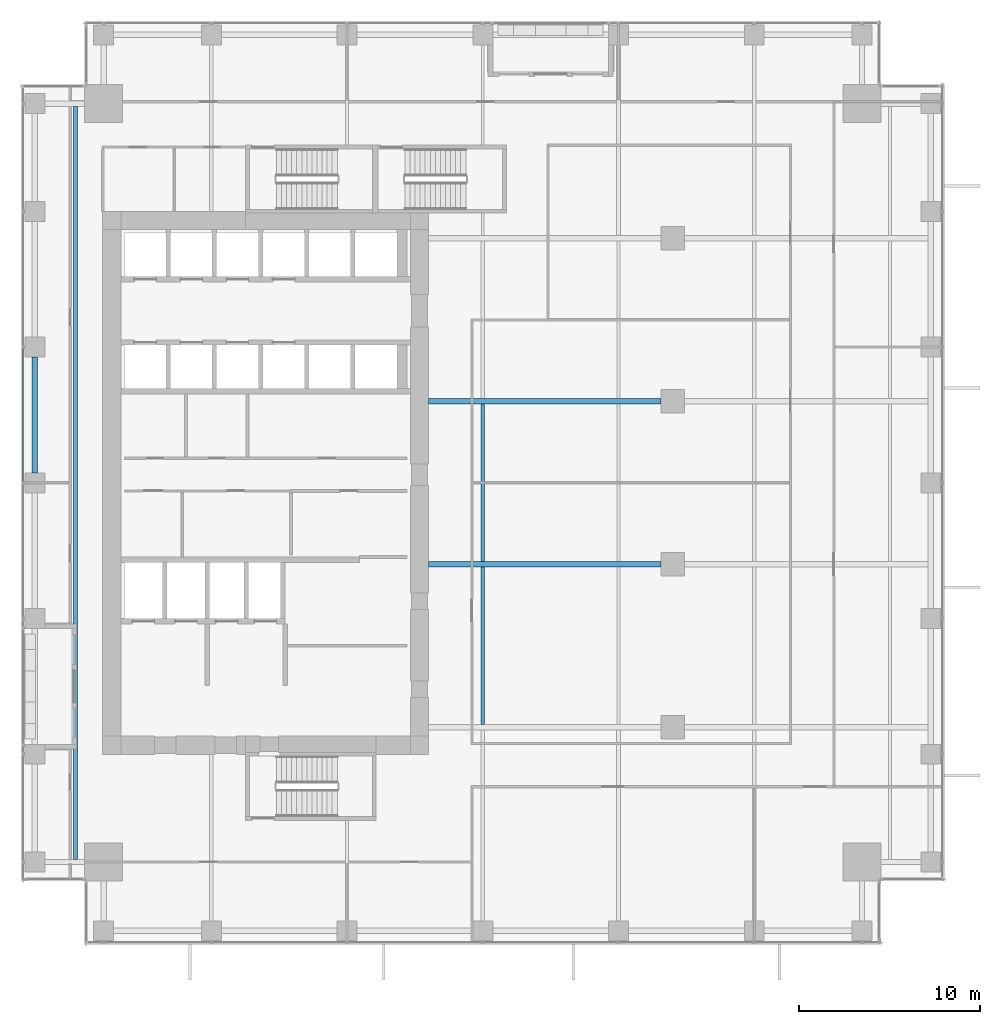
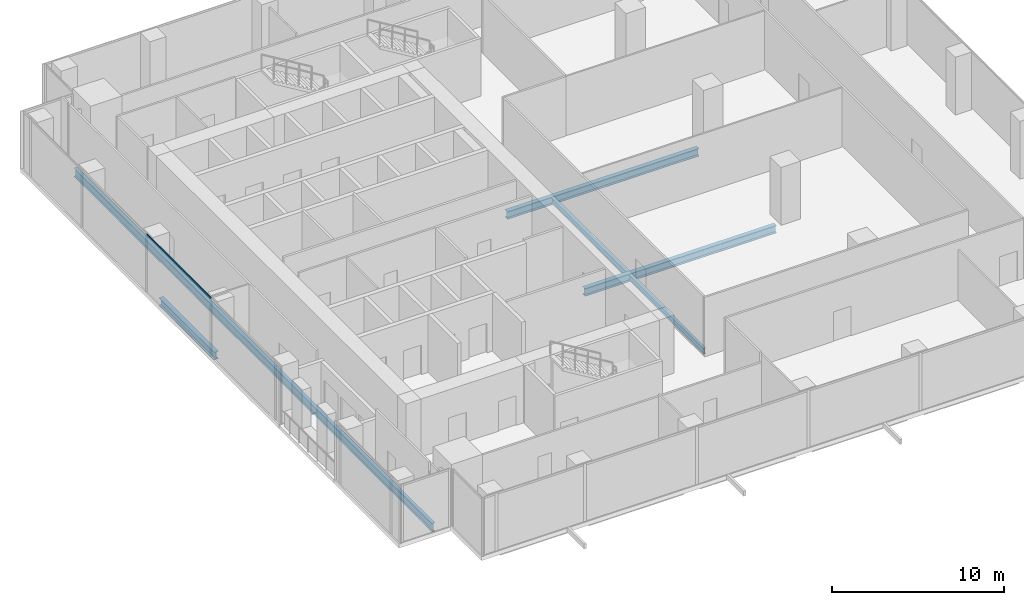
# One storey, part 8 of 34: 6 beams, 1 member, 1 element without a shape of its own.
"""IFC4 building model written with IfcOpenShell, lengths in metres."""

from ifc_helpers import new_model, si_unit, direction, frame, origin, origin_2d, place, context, subcontext, project, spatial, hollow_rectangle, i_section, extrude, source, transform, mapped, material, material_profile, profile_set, type_object, element, aggregate, save


model = new_model("IFC4")

# Units and contexts
model_context = context("Model", 3, precision=1e-05, world=origin(), true_north=direction((0.0, 1.0)))
body_context = subcontext(model_context, "Body", "Model", "MODEL_VIEW")
ifc_project = project(units=[si_unit("LENGTHUNIT", "METRE"), si_unit("AREAUNIT", "SQUARE_METRE"), si_unit("VOLUMEUNIT", "CUBIC_METRE"), si_unit("PLANEANGLEUNIT", "RADIAN"), si_unit("MASSUNIT", "GRAM", prefix="KILO")], contexts=[model_context])

# Site, building, storey
site_placement = place(None, origin())
site = spatial("IfcSite", under=ifc_project, at=site_placement, CompositionType="ELEMENT")
building_placement = place(site_placement, origin())
building = spatial("IfcBuilding", under=site, at=building_placement, Name="Khomas Fold Tower", CompositionType="ELEMENT")
storey_placement = place(building_placement, frame((0.0, 0.0, 123.5)))
storey = spatial("IfcBuildingStorey", under=building, at=storey_placement, Name="L26", CompositionType="ELEMENT", Elevation=123.5)

# Beams
ifc_material_1 = material(Name="Steel S355", Category="steel")
ifc_material_profile_1 = material_profile(ifc_material_1, i_section(OverallWidth=0.179931640625, OverallDepth=0.39990234375, WebThickness=0.008544921875, FlangeThickness=0.013427734375, at=origin_2d()), Name="IPE 400")
ifc_profile_set_1 = profile_set([ifc_material_profile_1], Name="Steel S355")
beam_type_1 = type_object("IfcBeamType", Name="IPE 400 beam JB3", PredefinedType="BEAM", material=ifc_profile_set_1)
shared_shape_1 = source(origin(), body_context, "Body", "SweptSolid", [
    extrude(i_section(OverallWidth=0.179931640625, OverallDepth=0.39990234375, WebThickness=0.008544921875, FlangeThickness=0.013427734375, at=origin_2d()), origin(), (0.0, 0.0, 1.0), 8.7001953125),
])
for number, where, z_axis, x_axis, name in (
    (1, (27.0, 13.64990234375, -0.5), (0.0, 1.0, 0.0), (-1.0, 0.0, 0.0), "JB3"),
    (2, (27.0, 22.64990234375, -0.5), (0.0, 1.0, 0.0), (-1.0, 0.0, 0.0), "JB3"),
):
    element("IfcBeam", number, at=place(storey_placement, frame(where, z_axis=z_axis, x_axis=x_axis)), inside=storey, type_object=beam_type_1, Name=name, PredefinedType="BEAM", context=body_context, shape_type="MappedRepresentation", body=[
        mapped(shared_shape_1, transform((0.0, 0.0, 0.0))),
    ])
ifc_material_2 = material(Name="Steel S355", Category="steel")
ifc_material_profile_2 = material_profile(ifc_material_2, i_section(OverallWidth=0.300048828125, OverallDepth=0.550048828125, WebThickness=0.014892578125, FlangeThickness=0.029052734375, at=origin_2d()), Name="HE 550 B")
ifc_profile_set_2 = profile_set([ifc_material_profile_2], Name="Steel S355")
beam_type_2 = type_object("IfcBeamType", Name="HE 550 B spandrel SB2", PredefinedType="SPANDREL", material=ifc_profile_set_2)
shared_shape_2 = source(origin(), body_context, "Body", "SweptSolid", [
    extrude(i_section(OverallWidth=0.300048828125, OverallDepth=0.550048828125, WebThickness=0.014892578125, FlangeThickness=0.029052734375, at=origin_2d()), origin(), (0.0, 0.0, 1.0), 6.39990234375),
])
beam_1_placement = place(storey_placement, frame((2.25, 27.550048828125, -0.574951171875), z_axis=(0.0, 1.0, 0.0), x_axis=(-1.0, 0.0, 0.0)))
element("IfcBeam", 3, at=beam_1_placement, inside=storey, type_object=beam_type_2, Name="SB2", PredefinedType="SPANDREL", context=body_context, shape_type="MappedRepresentation", body=[
    mapped(shared_shape_2, transform((0.0, 0.0, 0.0))),
])
ifc_material_3 = material(Name="Steel S355", Category="steel")
ifc_material_profile_3 = material_profile(ifc_material_3, i_section(OverallWidth=0.300048828125, OverallDepth=0.550048828125, WebThickness=0.014892578125, FlangeThickness=0.029052734375, at=origin_2d()), Name="HE 550 B")
ifc_profile_set_3 = profile_set([ifc_material_profile_3], Name="Steel S355")
beam_type_3 = type_object("IfcBeamType", Name="HE 550 B beam GB4", PredefinedType="BEAM", material=ifc_profile_set_3)
shared_shape_3 = source(origin(), body_context, "Body", "SweptSolid", [
    extrude(i_section(OverallWidth=0.300048828125, OverallDepth=0.550048828125, WebThickness=0.014892578125, FlangeThickness=0.029052734375, at=origin_2d()), origin(), (0.0, 0.0, 1.0), 12.85009765625),
])
for number, where, z_axis, x_axis, name in (
    (4, (24.0, 22.5, -0.574951171875), (1.0, 0.0, 0.0), (0.0, 1.0, 0.0), "GB4"),
    (5, (24.0, 31.5, -0.574951171875), (1.0, 0.0, 0.0), (0.0, 1.0, 0.0), "GB4"),
):
    element("IfcBeam", number, at=place(storey_placement, frame(where, z_axis=z_axis, x_axis=x_axis)), inside=storey, type_object=beam_type_3, Name=name, PredefinedType="BEAM", context=body_context, shape_type="MappedRepresentation", body=[
        mapped(shared_shape_3, transform((0.0, 0.0, 0.0))),
    ])
ifc_material_4 = material(Name="Steel S355", Category="steel")
ifc_material_profile_4 = material_profile(ifc_material_4, i_section(OverallWidth=0.219970703125, OverallDepth=0.60009765625, WebThickness=0.011962890625, FlangeThickness=0.01904296875, at=origin_2d()), Name="IPE 600")
ifc_profile_set_4 = profile_set([ifc_material_profile_4], Name="Steel S355")
beam_type_4 = type_object("IfcBeamType", Name="IPE 600 beam JB7", PredefinedType="BEAM", material=ifc_profile_set_4)
shared_shape_4 = source(origin(), body_context, "Body", "SweptSolid", [
    extrude(i_section(OverallWidth=0.219970703125, OverallDepth=0.60009765625, WebThickness=0.011962890625, FlangeThickness=0.01904296875, at=origin_2d()), origin(), (0.0, 0.0, 1.0), 41.60009765625),
])
beam_2_placement = place(storey_placement, frame((4.5, 6.199951171875, -0.60009765625), z_axis=(0.0, 1.0, 0.0), x_axis=(-1.0, 0.0, 0.0)))
element("IfcBeam", 6, at=beam_2_placement, inside=storey, type_object=beam_type_4, Name="JB7", PredefinedType="BEAM", context=body_context, shape_type="MappedRepresentation", body=[
    mapped(shared_shape_4, transform((0.0, 0.0, 0.0))),
])

# Curtain wall, member
ifc_material_5 = material(Name="Aluminium framed double glazing", Category="aluminium")
curtain_wall_type = type_object("IfcCurtainWallType", Name="SK-Unitised clear-glass wall, growing floors CW1", PredefinedType="NOTDEFINED", material=ifc_material_5)
curtain_wall_placement = place(storey_placement, origin())
curtain_wall = element("IfcCurtainWall", 7, at=curtain_wall_placement, inside=storey, type_object=curtain_wall_type, Name="CW1 run L26 09-0", PredefinedType="NOTDEFINED")
ifc_material_6 = material(Name="Aluminium", Category="aluminium")
ifc_material_profile_5 = material_profile(ifc_material_6, hollow_rectangle(XDim=0.06005859375, YDim=0.1201171875, WallThickness=0.00390625, at=origin_2d()), Name="SK-Unitised clear-glass wall, growing floors transom CW1-T")
ifc_profile_set_5 = profile_set([ifc_material_profile_5], Name="Aluminium")
member_type = type_object("IfcMemberType", Name="SK-Unitised clear-glass wall, growing floors transom CW1-T", PredefinedType="USERDEFINED", material=ifc_profile_set_5)
shared_shape_5 = source(origin(), body_context, "Body", "SweptSolid", [
    extrude(hollow_rectangle(XDim=0.06005859375, YDim=0.1201171875, WallThickness=0.00390625, at=origin_2d()), origin(), (0.0, 0.0, 1.0), 7.43994140625),
])
member_placement = place(storey_placement, frame((1.60009765625, 34.469970703125, 4.0400390625), z_axis=(0.0, -1.0, 0.0), x_axis=(1.0, 0.0, 0.0)))
member = element("IfcMember", 8, at=member_placement, type_object=member_type, Name="CW1 transom 4", ObjectType="TRANSOM", PredefinedType="USERDEFINED", context=body_context, shape_type="MappedRepresentation", body=[
    mapped(shared_shape_5, transform((0.0, 0.0, 0.0))),
])
aggregate(curtain_wall, [member])

save(model, "model.ifc")
